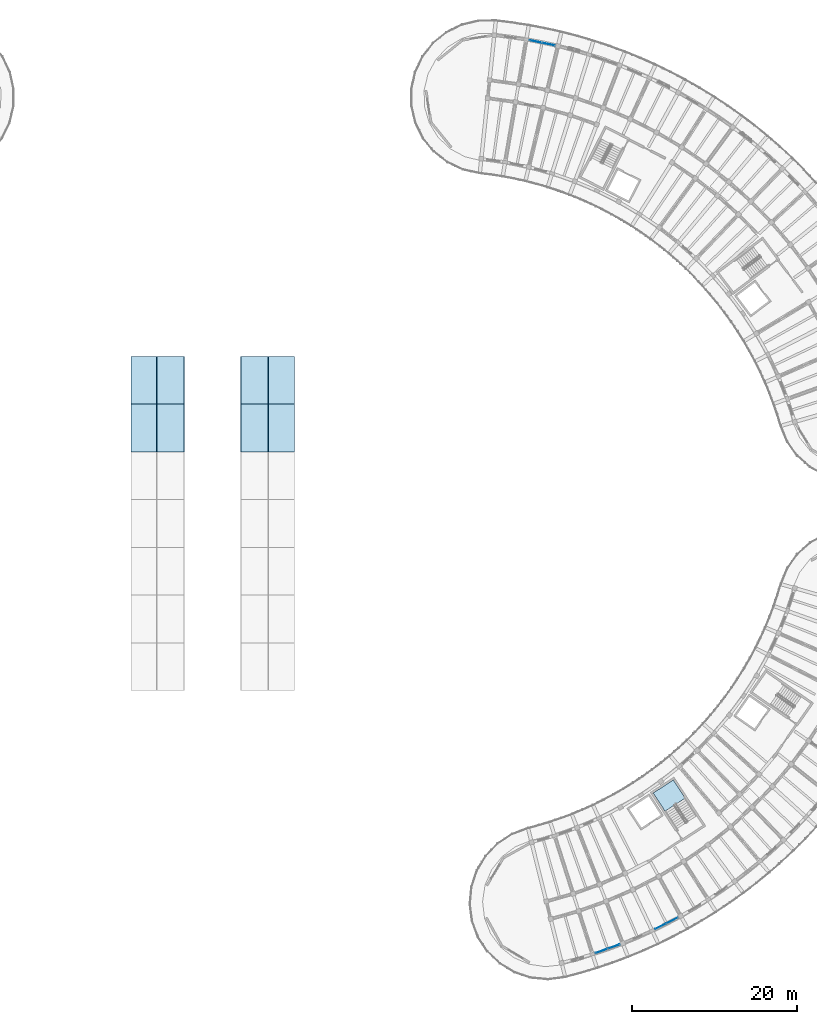
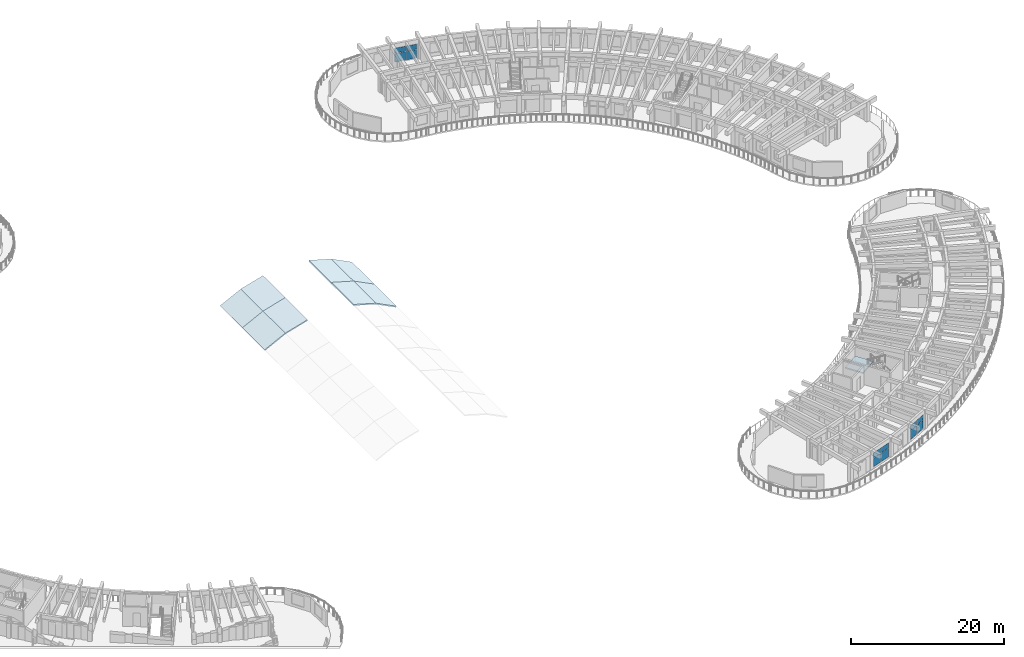
# One storey, part 49 of 96: 12 plates, 9 slabs, 4 elements without a shape of their own.
"""IFC4 building model written with IfcOpenShell, lengths in metres."""

from ifc_helpers import new_model, si_unit, direction, frame, origin, origin_2d, place, context, subcontext, project, spatial, polyline, rectangle, outline, extrude, material, layer, layer_set, type_object, element, aggregate, save


model = new_model("IFC4")

# Units and contexts
model_context = context("Model", 3, precision=1e-05, world=origin(), true_north=direction((0.0, 1.0)))
body_context = subcontext(model_context, "Body", "Model", "MODEL_VIEW")
ifc_project = project(units=[si_unit("LENGTHUNIT", "METRE"), si_unit("AREAUNIT", "SQUARE_METRE"), si_unit("VOLUMEUNIT", "CUBIC_METRE"), si_unit("PLANEANGLEUNIT", "RADIAN"), si_unit("MASSUNIT", "GRAM", prefix="KILO")], contexts=[model_context])

# Site, building, storey
site_placement = place(None, origin())
site = spatial("IfcSite", under=ifc_project, at=site_placement, CompositionType="ELEMENT")
building_placement = place(site_placement, origin())
building = spatial("IfcBuilding", under=site, at=building_placement, Name="Tanwirah Colonnade Gardens", CompositionType="ELEMENT")
storey_placement = place(building_placement, frame((0.0, 0.0, 12.199951171875)))
storey = spatial("IfcBuildingStorey", under=building, at=storey_placement, Name="L03", CompositionType="ELEMENT", Elevation=12.199951171875)

# Curtain wall, plates
ifc_material_1 = material(Name="Bronze-anodised aluminium and solar-control low-E glass", Category="aluminium")
curtain_wall_type = type_object("IfcCurtainWallType", Name="CW-LOB", PredefinedType="NOTDEFINED", material=ifc_material_1)
curtain_wall_1_placement = place(storey_placement, origin())
curtain_wall_1 = element("IfcCurtainWall", 1, at=curtain_wall_1_placement, inside=storey, type_object=curtain_wall_type, Name="Curtain Wall CW-D-L03-OUT-01", PredefinedType="NOTDEFINED")
ifc_material_2 = material(Name="Solar-control low-E double glazing", Category="glass")
ifc_layer_1 = layer(ifc_material_2, 0.028076171875)
ifc_layer_set_1 = layer_set([ifc_layer_1], Name="Solar-control low-E double glazing")
plate_type_1 = type_object("IfcPlateType", Name="CWP-GLZ28", PredefinedType="CURTAIN_PANEL", material=ifc_layer_set_1)
plate_1_placement = place(storey_placement, frame((140.255859375, 8.177490234375, 0.06005859375), z_axis=(0.0, 0.0, 1.0), x_axis=(0.941911145793, 0.335862164333, 0.0)))
plate_1 = element("IfcPlate", 2, at=plate_1_placement, type_object=plate_type_1, Name="CW-LOB panel 1.1", PredefinedType="CURTAIN_PANEL", context=body_context, shape_type="SweptSolid", body=[
    extrude(rectangle(XDim=1.49853515625, YDim=0.028076171875, at=origin_2d()), origin(), (0.0, 0.0, 1.0), 1.3701171875),
])
plate_2_placement = place(storey_placement, frame((140.255859375, 8.177490234375, 1.490234375), z_axis=(0.0, 0.0, 1.0), x_axis=(0.941911145793, 0.335862164333, 0.0)))
plate_2 = element("IfcPlate", 3, at=plate_2_placement, type_object=plate_type_1, Name="CW-LOB panel 1.2", PredefinedType="CURTAIN_PANEL", context=body_context, shape_type="SweptSolid", body=[
    extrude(rectangle(XDim=1.49853515625, YDim=0.028076171875, at=origin_2d()), origin(), (0.0, 0.0, 1.0), 0.804931640625),
])
plate_3_placement = place(storey_placement, frame((141.723876953125, 8.700927734375, 0.06005859375), z_axis=(0.0, 0.0, 1.0), x_axis=(0.941911145793, 0.335862164333, 0.0)))
plate_3 = element("IfcPlate", 4, at=plate_3_placement, type_object=plate_type_1, Name="CW-LOB panel 2.1", PredefinedType="CURTAIN_PANEL", context=body_context, shape_type="SweptSolid", body=[
    extrude(rectangle(XDim=1.49853515625, YDim=0.028076171875, at=origin_2d()), origin(), (0.0, 0.0, 1.0), 1.3701171875),
])
plate_4_placement = place(storey_placement, frame((141.723876953125, 8.700927734375, 1.490234375), z_axis=(0.0, 0.0, 1.0), x_axis=(0.941911145793, 0.335862164333, 0.0)))
plate_4 = element("IfcPlate", 5, at=plate_4_placement, type_object=plate_type_1, Name="CW-LOB panel 2.2", PredefinedType="CURTAIN_PANEL", context=body_context, shape_type="SweptSolid", body=[
    extrude(rectangle(XDim=1.49853515625, YDim=0.028076171875, at=origin_2d()), origin(), (0.0, 0.0, 1.0), 0.804931640625),
])
aggregate(curtain_wall_1, [plate_1, plate_2, plate_3, plate_4])

curtain_wall_2_placement = place(storey_placement, origin())
curtain_wall_2 = element("IfcCurtainWall", 6, at=curtain_wall_2_placement, inside=storey, type_object=curtain_wall_type, Name="Curtain Wall CW-D-L03-OUT-03", PredefinedType="NOTDEFINED")
plate_5_placement = place(storey_placement, frame((147.44287109375, 11.1728515625, 0.06005859375), z_axis=(0.0, 0.0, 1.0), x_axis=(0.890014111869, 0.455932978269, 0.0)))
plate_5 = element("IfcPlate", 7, at=plate_5_placement, type_object=plate_type_1, Name="CW-LOB panel 1.1", PredefinedType="CURTAIN_PANEL", context=body_context, shape_type="SweptSolid", body=[
    extrude(rectangle(XDim=1.49853515625, YDim=0.028076171875, at=origin_2d()), origin(), (0.0, 0.0, 1.0), 1.3701171875),
])
plate_6_placement = place(storey_placement, frame((147.44287109375, 11.1728515625, 1.490234375), z_axis=(0.0, 0.0, 1.0), x_axis=(0.890014111869, 0.455932978269, 0.0)))
plate_6 = element("IfcPlate", 8, at=plate_6_placement, type_object=plate_type_1, Name="CW-LOB panel 1.2", PredefinedType="CURTAIN_PANEL", context=body_context, shape_type="SweptSolid", body=[
    extrude(rectangle(XDim=1.49853515625, YDim=0.028076171875, at=origin_2d()), origin(), (0.0, 0.0, 1.0), 0.804931640625),
])
plate_7_placement = place(storey_placement, frame((148.829833984375, 11.88330078125, 0.06005859375), z_axis=(0.0, 0.0, 1.0), x_axis=(0.890014111869, 0.455932978269, 0.0)))
plate_7 = element("IfcPlate", 9, at=plate_7_placement, type_object=plate_type_1, Name="CW-LOB panel 2.1", PredefinedType="CURTAIN_PANEL", context=body_context, shape_type="SweptSolid", body=[
    extrude(rectangle(XDim=1.49853515625, YDim=0.028076171875, at=origin_2d()), origin(), (0.0, 0.0, 1.0), 1.3701171875),
])
plate_8_placement = place(storey_placement, frame((148.829833984375, 11.88330078125, 1.490234375), z_axis=(0.0, 0.0, 1.0), x_axis=(0.890014111869, 0.455932978269, 0.0)))
plate_8 = element("IfcPlate", 10, at=plate_8_placement, type_object=plate_type_1, Name="CW-LOB panel 2.2", PredefinedType="CURTAIN_PANEL", context=body_context, shape_type="SweptSolid", body=[
    extrude(rectangle(XDim=1.49853515625, YDim=0.028076171875, at=origin_2d()), origin(), (0.0, 0.0, 1.0), 0.804931640625),
])
aggregate(curtain_wall_2, [plate_5, plate_6, plate_7, plate_8])

curtain_wall_3_placement = place(storey_placement, origin())
curtain_wall_3 = element("IfcCurtainWall", 11, at=curtain_wall_3_placement, inside=storey, type_object=curtain_wall_type, Name="Curtain Wall CW-B-L03-OUT-16", PredefinedType="NOTDEFINED")
ifc_material_3 = material(Name="Insulated bronze aluminium spandrel panel", Category="aluminium")
ifc_layer_2 = layer(ifc_material_3, 0.035888671875)
ifc_layer_set_2 = layer_set([ifc_layer_2], Name="Insulated bronze aluminium spandrel panel")
plate_type_2 = type_object("IfcPlateType", Name="CWP-SPN36", PredefinedType="CURTAIN_PANEL", material=ifc_layer_set_2)
plate_9_placement = place(storey_placement, frame((133.804443359375, 118.329345703125, 0.06494140625), z_axis=(0.0, 0.0, 1.0), x_axis=(-0.979340523595, 0.202218047772, 0.0)))
plate_9 = element("IfcPlate", 12, at=plate_9_placement, type_object=plate_type_2, Name="CW-LOB panel 1.1", PredefinedType="CURTAIN_PANEL", context=body_context, shape_type="SweptSolid", body=[
    extrude(rectangle(XDim=1.50537109375, YDim=0.035888671875, at=origin_2d()), origin(), (0.0, 0.0, 1.0), 1.362548828125),
])
plate_10_placement = place(storey_placement, frame((133.804443359375, 118.329345703125, 1.49267578125), z_axis=(0.0, 0.0, 1.0), x_axis=(-0.979340523595, 0.202218047772, 0.0)))
plate_10 = element("IfcPlate", 13, at=plate_10_placement, type_object=plate_type_2, Name="CW-LOB panel 1.2", PredefinedType="CURTAIN_PANEL", context=body_context, shape_type="SweptSolid", body=[
    extrude(rectangle(XDim=1.50537109375, YDim=0.035888671875, at=origin_2d()), origin(), (0.0, 0.0, 1.0), 0.79736328125),
])
plate_11_placement = place(storey_placement, frame((132.2666015625, 118.646728515625, 0.06494140625), z_axis=(0.0, 0.0, 1.0), x_axis=(-0.979340523595, 0.202218047772, 0.0)))
plate_11 = element("IfcPlate", 14, at=plate_11_placement, type_object=plate_type_2, Name="CW-LOB panel 2.1", PredefinedType="CURTAIN_PANEL", context=body_context, shape_type="SweptSolid", body=[
    extrude(rectangle(XDim=1.50537109375, YDim=0.035888671875, at=origin_2d()), origin(), (0.0, 0.0, 1.0), 1.362548828125),
])
plate_12_placement = place(storey_placement, frame((132.2666015625, 118.646728515625, 1.49267578125), z_axis=(0.0, 0.0, 1.0), x_axis=(-0.979340523595, 0.202218047772, 0.0)))
plate_12 = element("IfcPlate", 15, at=plate_12_placement, type_object=plate_type_2, Name="CW-LOB panel 2.2", PredefinedType="CURTAIN_PANEL", context=body_context, shape_type="SweptSolid", body=[
    extrude(rectangle(XDim=1.50537109375, YDim=0.035888671875, at=origin_2d()), origin(), (0.0, 0.0, 1.0), 0.79736328125),
])
aggregate(curtain_wall_3, [plate_9, plate_10, plate_11, plate_12])

# Slabs
ifc_material_4 = material(Name="Precast concrete C45/55", Category="concrete")
ifc_layer_3 = layer(ifc_material_4, 0.179931640625)
ifc_layer_set_3 = layer_set([ifc_layer_3], Name="Precast concrete C45/55")
slab_type_1 = type_object("IfcSlabType", Name="RF-VAULT-180", PredefinedType="ROOF", material=ifc_layer_set_3)
slab_1_placement = place(storey_placement, frame((83.0751953125, 68.800048828125, 1.55126953125), z_axis=(-0.451999731987, 0.0, 0.892018072846), x_axis=(0.892018072846, 0.0, 0.451999731987)))
element("IfcSlab", 16, at=slab_1_placement, inside=storey, type_object=slab_type_1, Name="Community Hall Barrel Vault Roof Strip 6.3", PredefinedType="ROOF", context=body_context, shape_type="SweptSolid", body=[
    extrude(outline(polyline([(0.0, 0.0), (3.484407313586195, 0.0), (3.484407313586195, 5.800048828125), (0.0, 5.800048828125), (0.0, 0.0)])), origin(), (0.0, 0.0, -1.0), 0.179931640625),
])
for number, where, z_axis, x_axis, name in (
    (17, (86.183349609375, 68.800048828125, 3.126220703125), (-0.277671862389, 0.0, 0.960675979109), (0.960675979109, 0.0, 0.277671862389), "Community Hall Barrel Vault Roof Strip 6.4"),
    (18, (96.46923828125, 68.800048828125, 4.09375), (0.277671862389, 0.0, 0.960675979109), (0.960675979109, 0.0, -0.277671862389), "Community Hall Barrel Vault Roof Strip 6.7"),
):
    element("IfcSlab", number, at=place(storey_placement, frame(where, z_axis=z_axis, x_axis=x_axis)), inside=storey, type_object=slab_type_1, Name=name, PredefinedType="ROOF", context=body_context, shape_type="SweptSolid", body=[
        extrude(outline(polyline([(0.0, 0.0), (3.4844340674350285, 0.0), (3.4844340674350285, 5.800048828124999), (0.0, 5.800048828124999), (0.0, 0.0)])), origin(), (0.0, 0.0, -1.0), 0.179931640625),
    ])
slab_2_placement = place(storey_placement, frame((99.816650390625, 68.800048828125, 3.126220703125), z_axis=(0.451999731987, 0.0, 0.892018072846), x_axis=(0.892018072846, 0.0, -0.451999731987)))
element("IfcSlab", 19, at=slab_2_placement, inside=storey, type_object=slab_type_1, Name="Community Hall Barrel Vault Roof Strip 6.8", PredefinedType="ROOF", context=body_context, shape_type="SweptSolid", body=[
    extrude(outline(polyline([(0.0, 0.0), (3.484407313586195, 0.0), (3.484407313586195, 5.800048828125), (0.0, 5.800048828125), (0.0, 0.0)])), origin(), (0.0, 0.0, -1.0), 0.179931640625),
])
slab_3_placement = place(storey_placement, frame((83.0751953125, 74.60009765625, 1.55126953125), z_axis=(-0.451999731987, 0.0, 0.892018072846), x_axis=(0.892018072846, 0.0, 0.451999731987)))
element("IfcSlab", 20, at=slab_3_placement, inside=storey, type_object=slab_type_1, Name="Community Hall Barrel Vault Roof Strip 7.3", PredefinedType="ROOF", context=body_context, shape_type="SweptSolid", body=[
    extrude(outline(polyline([(0.0, 0.0), (3.484407313586195, 0.0), (3.484407313586195, 5.7998046875), (0.0, 5.7998046875), (0.0, 0.0)])), origin(), (0.0, 0.0, -1.0), 0.179931640625),
])
for number, where, z_axis, x_axis, name in (
    (21, (86.183349609375, 74.60009765625, 3.126220703125), (-0.277671862389, 0.0, 0.960675979109), (0.960675979109, 0.0, 0.277671862389), "Community Hall Barrel Vault Roof Strip 7.4"),
    (22, (96.46923828125, 74.60009765625, 4.09375), (0.277671862389, 0.0, 0.960675979109), (0.960675979109, 0.0, -0.277671862389), "Community Hall Barrel Vault Roof Strip 7.7"),
):
    element("IfcSlab", number, at=place(storey_placement, frame(where, z_axis=z_axis, x_axis=x_axis)), inside=storey, type_object=slab_type_1, Name=name, PredefinedType="ROOF", context=body_context, shape_type="SweptSolid", body=[
        extrude(outline(polyline([(0.0, 0.0), (3.4844340674350285, 0.0), (3.4844340674350285, 5.7998046875), (0.0, 5.7998046875), (0.0, 0.0)])), origin(), (0.0, 0.0, -1.0), 0.179931640625),
    ])
slab_4_placement = place(storey_placement, frame((99.816650390625, 74.60009765625, 3.126220703125), z_axis=(0.451999731987, 0.0, 0.892018072846), x_axis=(0.892018072846, 0.0, -0.451999731987)))
element("IfcSlab", 23, at=slab_4_placement, inside=storey, type_object=slab_type_1, Name="Community Hall Barrel Vault Roof Strip 7.8", PredefinedType="ROOF", context=body_context, shape_type="SweptSolid", body=[
    extrude(outline(polyline([(0.0, 0.0), (3.484407313586195, 0.0), (3.484407313586195, 5.7998046875), (0.0, 5.7998046875), (0.0, 0.0)])), origin(), (0.0, 0.0, -1.0), 0.179931640625),
])

# Stair, slab
ifc_material_5 = material(Name="Precast concrete C40/50", Category="concrete")
stair_type = type_object("IfcStairType", Name="ST-RES168", PredefinedType="HALF_TURN_STAIR", material=ifc_material_5)
stair_placement = place(storey_placement, origin())
stair = element("IfcStair", 24, at=stair_placement, inside=storey, type_object=stair_type, Name="L03 Block D Core 1 Exit Stair", PredefinedType="HALF_TURN_STAIR")
ifc_layer_4 = layer(ifc_material_5, 0.205078125)
ifc_layer_set_4 = layer_set([ifc_layer_4], Name="Precast concrete C40/50")
slab_type_2 = type_object("IfcSlabType", Name="SL-LND-205", PredefinedType="LANDING", material=ifc_layer_set_4)
slab_5_placement = place(storey_placement, frame((0.0, 0.0, 1.47509765625)))
slab_5 = element("IfcSlab", 25, at=slab_5_placement, type_object=slab_type_2, Name="ST-D1 landing 1", PredefinedType="LANDING", context=body_context, shape_type="SweptSolid", body=[
    extrude(outline(polyline([(150.40966796875, 26.740966796875), (148.974609375, 28.950927734375), (146.525634765625, 27.360595703125), (147.960693359375, 25.150634765625), (150.40966796875, 26.740966796875)])), origin(), (0.0, 0.0, 1.0), 0.204833984375),
])
aggregate(stair, [slab_5])

save(model, "model.ifc")
